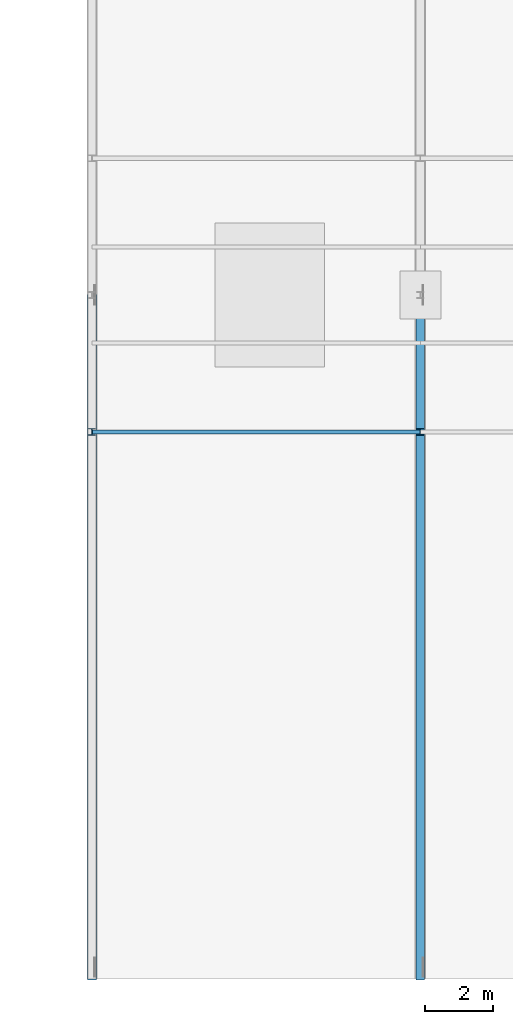
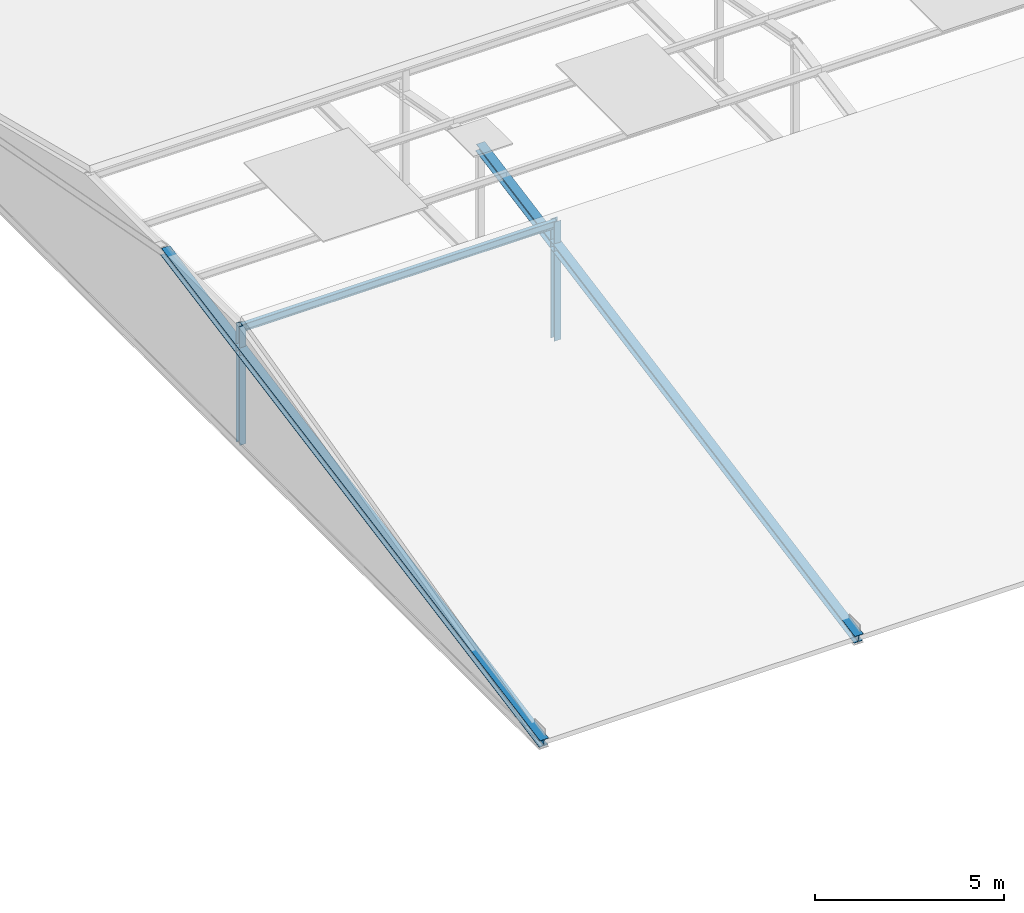
# One storey, part 21 of 73: 4 members, 1 beam.
"""IFC4 building model written with IfcOpenShell, lengths in metres."""

from ifc_helpers import new_model, si_unit, direction, frame, origin, origin_2d, place, context, subcontext, project, spatial, i_section, extrude, material, material_profile, profile_set, type_object, element, save


model = new_model("IFC4")

# Units and contexts
model_context = context("Model", 3, precision=1e-05, world=origin(), true_north=direction((0.0, 1.0)))
body_context = subcontext(model_context, "Body", "Model", "MODEL_VIEW")
ifc_project = project(units=[si_unit("LENGTHUNIT", "METRE"), si_unit("AREAUNIT", "SQUARE_METRE"), si_unit("VOLUMEUNIT", "CUBIC_METRE"), si_unit("PLANEANGLEUNIT", "RADIAN"), si_unit("MASSUNIT", "GRAM", prefix="KILO")], contexts=[model_context])

# Site, building, storey
site_placement = place(None, origin())
site = spatial("IfcSite", under=ifc_project, at=site_placement, CompositionType="ELEMENT")
building_placement = place(site_placement, origin())
building = spatial("IfcBuilding", under=site, at=building_placement, Name="Alderhovde Museum", CompositionType="ELEMENT")
storey_placement = place(building_placement, frame((0.0, 0.0, 17.39990234375)))
storey = spatial("IfcBuildingStorey", under=building, at=storey_placement, Name="L04", CompositionType="ELEMENT", Elevation=17.39990234375)

# Beam
ifc_material_1 = material(Name="Steel S355J2", Category="steel")
ifc_material_profile_1 = material_profile(ifc_material_1, i_section(OverallWidth=0.1201171875, OverallDepth=0.239990234375, WebThickness=0.006103515625, FlangeThickness=0.009765625, FilletRadius=0.014892578125, at=origin_2d()), Name="IPE 240")
ifc_profile_set_1 = profile_set([ifc_material_profile_1], Name="Steel S355J2")
beam_type = type_object("IfcBeamType", Name="BM-IPE240", PredefinedType="BEAM", material=ifc_profile_set_1)
beam_placement = place(storey_placement, frame((76.800048828125, 48.0, 3.840087890625), z_axis=(1.0, 0.0, 0.0), x_axis=(0.0, 1.0, 0.0)))
element("IfcBeam", 1, at=beam_placement, inside=storey, type_object=beam_type, Name="Atrium Ridge Bearer Y=48", PredefinedType="BEAM", context=body_context, shape_type="SweptSolid", body=[
    extrude(i_section(OverallWidth=0.1201171875, OverallDepth=0.239990234375, WebThickness=0.006103515625, FlangeThickness=0.009765625, FilletRadius=0.014892578125, at=origin_2d()), origin(), (0.0, 0.0, 1.0), 9.599853515625),
])

# Members
ifc_material_2 = material(Name="Steel S355J2", Category="steel")
ifc_material_profile_2 = material_profile(ifc_material_2, i_section(OverallWidth=0.260009765625, OverallDepth=0.25, WebThickness=0.007568359375, FlangeThickness=0.012451171875, FilletRadius=0.02392578125, at=origin_2d()), Name="HEA 260")
ifc_profile_set_2 = profile_set([ifc_material_profile_2], Name="Steel S355J2")
member_type_1 = type_object("IfcMemberType", Name="TR-CH-HEA260", PredefinedType="CHORD", material=ifc_profile_set_2)
for number, where, z_axis, x_axis, name in (
    (2, (76.800048828125, 32.0, 0.150146484375), (0.0, 0.982872186934, 0.18428853505), (-1.0, 0.0, 0.0), "Atrium Truss X=76.8 South Rafter"),
    (3, (86.39990234375, 32.0, 0.150146484375), (0.0, 0.982872186934, 0.18428853505), (-1.0, 0.0, 0.0), "Atrium Truss X=86.4 South Rafter"),
):
    element("IfcMember", number, at=place(storey_placement, frame(where, z_axis=z_axis, x_axis=x_axis)), inside=storey, type_object=member_type_1, Name=name, PredefinedType="CHORD", context=body_context, shape_type="SweptSolid", body=[
        extrude(i_section(OverallWidth=0.260009765625, OverallDepth=0.25, WebThickness=0.007568359375, FlangeThickness=0.012451171875, FilletRadius=0.02392578125, at=origin_2d()), origin(), (0.0, 0.0, 1.0), 20.3486328125),
    ])
ifc_material_3 = material(Name="Steel S355J2", Category="steel")
ifc_material_profile_3 = material_profile(ifc_material_3, i_section(OverallWidth=0.199951171875, OverallDepth=0.18994140625, WebThickness=0.006591796875, FlangeThickness=0.010009765625, FilletRadius=0.01806640625, at=origin_2d()), Name="HEA 200")
ifc_profile_set_3 = profile_set([ifc_material_profile_3], Name="Steel S355J2")
member_type_2 = type_object("IfcMemberType", Name="TR-PS-HEA200", PredefinedType="POST", material=ifc_profile_set_3)
for number, where, z_axis, x_axis, name in (
    (4, (76.800048828125, 48.0, 0.1201171875), (0.0, 0.0, 1.0), (1.0, 0.0, 0.0), "Atrium Truss X=76.8 Post P1"),
    (5, (86.39990234375, 48.0, 0.1201171875), (0.0, 0.0, 1.0), (1.0, 0.0, 0.0), "Atrium Truss X=86.4 Post P1"),
):
    element("IfcMember", number, at=place(storey_placement, frame(where, z_axis=z_axis, x_axis=x_axis)), inside=storey, type_object=member_type_2, Name=name, PredefinedType="POST", context=body_context, shape_type="SweptSolid", body=[
        extrude(i_section(OverallWidth=0.199951171875, OverallDepth=0.18994140625, WebThickness=0.006591796875, FlangeThickness=0.010009765625, FilletRadius=0.01806640625, at=origin_2d()), origin(), (0.0, 0.0, 1.0), 3.840087890625),
    ])

save(model, "model.ifc")
